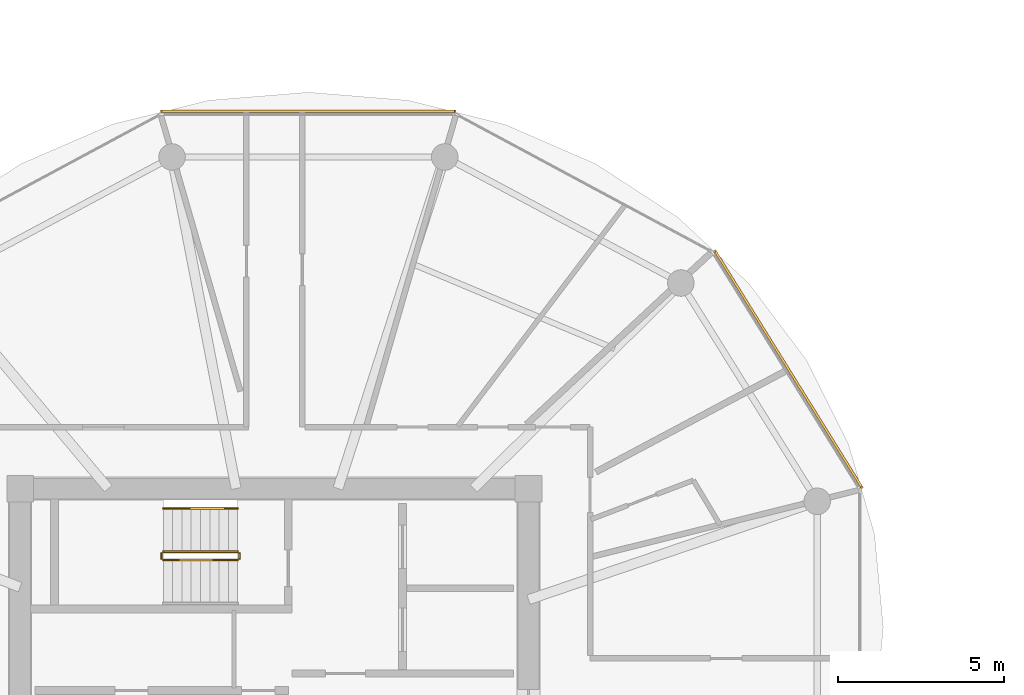
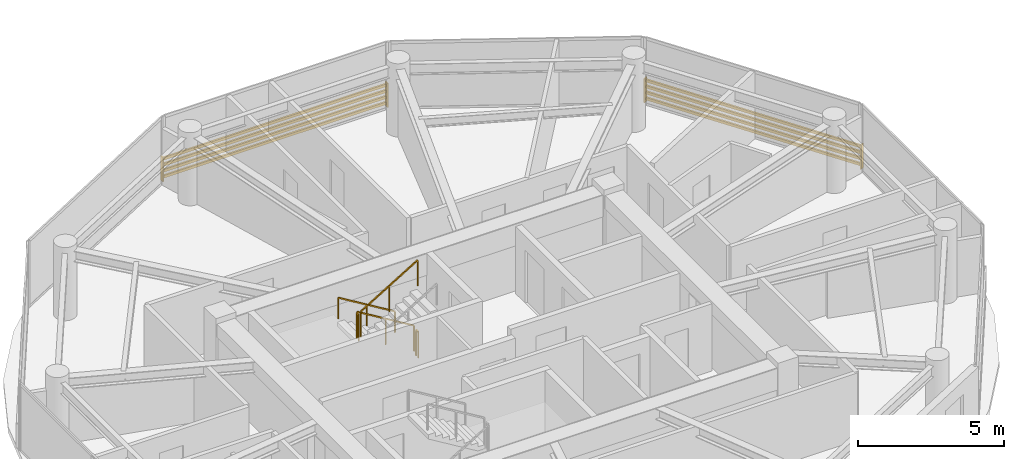
# One storey, part 20 of 23: 5 railings, 2 shading devices.
"""IFC4 building model written with IfcOpenShell, lengths in metres."""

from ifc_helpers import new_model, si_unit, direction, frame, origin, origin_2d, place, context, subcontext, project, spatial, rectangle, extrude, source, transform, mapped, material, type_object, type_shapes, element, save


model = new_model("IFC4")

# Units and contexts
model_context = context("Model", 3, precision=1e-05, world=origin(), true_north=direction((0.0, 1.0)))
body_context = subcontext(model_context, "Body", "Model", "MODEL_VIEW")
ifc_project = project(units=[si_unit("LENGTHUNIT", "METRE"), si_unit("AREAUNIT", "SQUARE_METRE"), si_unit("VOLUMEUNIT", "CUBIC_METRE"), si_unit("PLANEANGLEUNIT", "RADIAN"), si_unit("MASSUNIT", "GRAM", prefix="KILO")], contexts=[model_context])

# Site, building, storey
site_placement = place(None, origin())
site = spatial("IfcSite", under=ifc_project, at=site_placement, CompositionType="ELEMENT")
building_placement = place(site_placement, origin())
building = spatial("IfcBuilding", under=site, at=building_placement, Name="Norrkilde Senior Care Towers", CompositionType="ELEMENT")
storey_placement = place(building_placement, frame((0.0, 0.0, 173.949951171875)))
storey = spatial("IfcBuildingStorey", under=building, at=storey_placement, Name="L54", CompositionType="ELEMENT", Elevation=173.949951171875)

# Railings
ifc_material_1 = material(Name="Stainless Steel", Category="steel")
railing_type_1 = type_object("IfcRailingType", Name="Stair and Terrace Guardrail 1100", PredefinedType="GUARDRAIL", material=ifc_material_1)
railing_1_placement = place(storey_placement, frame((-29.10009765625, 4.050048828125, 0.16943359375)))
element("IfcRailing", 1, at=railing_1_placement, inside=storey, type_object=railing_type_1, Name="L54 ST-W1 stair guard 1", PredefinedType="GUARDRAIL", context=body_context, shape_type="SweptSolid", body=[
    extrude(rectangle(XDim=0.048095703125, YDim=0.048095703125, at=origin_2d()), frame((0.0, 0.0, 1.076171875), z_axis=(-0.855512035549, 0.0, 0.517782924622), x_axis=(0.0, -1.0, 0.0)), (0.0, 0.0, 1.0), 2.618408203125),
    extrude(rectangle(XDim=0.0419921875, YDim=0.0419921875, at=origin_2d()), origin(), (0.0, 0.0, 1.0), 1.050048828125),
    extrude(rectangle(XDim=0.0419921875, YDim=0.0419921875, at=origin_2d()), frame((-1.1201171875, 0.0, 0.677734375)), (0.0, 0.0, 1.0), 1.050048828125),
    extrude(rectangle(XDim=0.0419921875, YDim=0.0419921875, at=origin_2d()), frame((-2.239990234375, 0.0, 1.355712890625)), (0.0, 0.0, 1.0), 1.050048828125),
])
railing_2_placement = place(storey_placement, frame((-31.389892578125, 4.0, 1.525146484375)))
element("IfcRailing", 2, at=railing_2_placement, inside=storey, type_object=railing_type_1, Name="L54 ST-W1 stair guard 2", PredefinedType="GUARDRAIL", context=body_context, shape_type="SweptSolid", body=[
    extrude(rectangle(XDim=0.048095703125, YDim=0.048095703125, at=origin_2d()), frame((0.0, 0.0, 1.076171875), z_axis=(0.0, -1.0, 0.0), x_axis=(1.0, 0.0, 0.0)), (0.0, 0.0, 1.0), 0.14990234375),
    extrude(rectangle(XDim=0.0419921875, YDim=0.0419921875, at=origin_2d()), origin(), (0.0, 0.0, 1.0), 1.050048828125),
    extrude(rectangle(XDim=0.0419921875, YDim=0.0419921875, at=origin_2d()), frame((0.0, -0.14990234375, 0.0)), (0.0, 0.0, 1.0), 1.050048828125),
])
railing_3_placement = place(storey_placement, frame((-31.340087890625, 3.800048828125, 1.694580078125)))
element("IfcRailing", 3, at=railing_3_placement, inside=storey, type_object=railing_type_1, Name="L54 ST-W1 stair guard 3", PredefinedType="GUARDRAIL", context=body_context, shape_type="SweptSolid", body=[
    extrude(rectangle(XDim=0.048095703125, YDim=0.048095703125, at=origin_2d()), frame((0.0, 0.0, 1.076171875), z_axis=(0.855553338991, 0.0, 0.51771467445), x_axis=(0.0, 1.0, 0.0)), (0.0, 0.0, 1.0), 2.6181640625),
    extrude(rectangle(XDim=0.0419921875, YDim=0.0419921875, at=origin_2d()), origin(), (0.0, 0.0, 1.0), 1.050048828125),
    extrude(rectangle(XDim=0.0419921875, YDim=0.0419921875, at=origin_2d()), frame((1.1201171875, 0.0, 0.677734375)), (0.0, 0.0, 1.0), 1.050048828125),
    extrude(rectangle(XDim=0.0419921875, YDim=0.0419921875, at=origin_2d()), frame((2.239990234375, 0.0, 1.35546875)), (0.0, 0.0, 1.0), 1.050048828125),
])
railing_4_placement = place(storey_placement, frame((-29.050048828125, 4.0, 0.0)))
element("IfcRailing", 4, at=railing_4_placement, inside=storey, type_object=railing_type_1, Name="L54 ST-W1 stair guard 4", PredefinedType="GUARDRAIL", context=body_context, shape_type="SweptSolid", body=[
    extrude(rectangle(XDim=0.048095703125, YDim=0.048095703125, at=origin_2d()), frame((0.0, 0.0, 1.076171875), z_axis=(0.0, -1.0, 0.0), x_axis=(1.0, 0.0, 0.0)), (0.0, 0.0, 1.0), 0.14990234375),
    extrude(rectangle(XDim=0.0419921875, YDim=0.0419921875, at=origin_2d()), origin(), (0.0, 0.0, 1.0), 1.050048828125),
    extrude(rectangle(XDim=0.0419921875, YDim=0.0419921875, at=origin_2d()), frame((0.0, -0.14990234375, 0.0)), (0.0, 0.0, 1.0), 1.050048828125),
])
ifc_material_2 = material(Name="Nordic Ash Timber", Category="wood")
railing_type_2 = type_object("IfcRailingType", Name="Wall and Stair Handrail 900", PredefinedType="HANDRAIL", material=ifc_material_2)
railing_5_placement = place(storey_placement, frame((-29.10009765625, 5.35009765625, 0.16943359375)))
element("IfcRailing", 5, at=railing_5_placement, inside=storey, type_object=railing_type_2, Name="L54 ST-W1 stair handrail 1", PredefinedType="HANDRAIL", context=body_context, shape_type="SweptSolid", body=[
    extrude(rectangle(XDim=0.048095703125, YDim=0.048095703125, at=origin_2d()), frame((0.0, 0.0, 0.8759765625), z_axis=(-0.855512035549, 0.0, 0.517782924622), x_axis=(0.0, -1.0, 0.0)), (0.0, 0.0, 1.0), 2.618408203125),
    extrude(rectangle(XDim=0.0419921875, YDim=0.0419921875, at=origin_2d()), origin(), (0.0, 0.0, 1.0), 0.849853515625),
    extrude(rectangle(XDim=0.0419921875, YDim=0.0419921875, at=origin_2d()), frame((-1.1201171875, 0.0, 0.677734375)), (0.0, 0.0, 1.0), 0.849853515625),
    extrude(rectangle(XDim=0.0419921875, YDim=0.0419921875, at=origin_2d()), frame((-2.239990234375, 0.0, 1.355712890625)), (0.0, 0.0, 1.0), 0.849853515625),
])

# Shading devices
ifc_material_3 = material(Name="Architectural Terracotta", Category="masonry")
shading_device_type = type_object("IfcShadingDeviceType", Name="Horizontal Terracotta Baguette Rack", PredefinedType="USERDEFINED", material=ifc_material_3)
shared_shape_1 = source(origin(), body_context, "Body", "SweptSolid", [
    extrude(rectangle(XDim=0.070068359375, YDim=0.110107421875, at=origin_2d()), frame((0.0, 0.090087890625, 0.125), z_axis=(1.0, 0.0, 0.0), x_axis=(0.0, 1.0, 0.0)), (0.0, 0.0, 1.0), 8.89306640625),
    extrude(rectangle(XDim=0.070068359375, YDim=0.110107421875, at=origin_2d()), frame((0.0, 0.090087890625, 0.375), z_axis=(1.0, 0.0, 0.0), x_axis=(0.0, 1.0, 0.0)), (0.0, 0.0, 1.0), 8.89306640625),
    extrude(rectangle(XDim=0.070068359375, YDim=0.110107421875, at=origin_2d()), frame((0.0, 0.090087890625, 0.625), z_axis=(1.0, 0.0, 0.0), x_axis=(0.0, 1.0, 0.0)), (0.0, 0.0, 1.0), 8.89306640625),
    extrude(rectangle(XDim=0.070068359375, YDim=0.110107421875, at=origin_2d()), frame((0.0, 0.090087890625, 0.875), z_axis=(1.0, 0.0, 0.0), x_axis=(0.0, 1.0, 0.0)), (0.0, 0.0, 1.0), 8.89306640625),
    extrude(rectangle(XDim=0.050048828125, YDim=0.1552734375, at=origin_2d()), frame((0.02490234375, 0.047607421875, 0.0)), (0.0, 0.0, 1.0), 1.0),
    extrude(rectangle(XDim=0.050048828125, YDim=0.1552734375, at=origin_2d()), frame((8.8681640625, 0.047607421875, 0.0)), (0.0, 0.0, 1.0), 1.0),
])
shading_device_1_placement = place(storey_placement, frame((-31.421630859375, 17.2109375, 0.080078125), z_axis=(0.0, 0.0, 1.0), x_axis=(1.0, 0.0, 0.0)))
element("IfcShadingDevice", 6, at=shading_device_1_placement, inside=storey, type_object=shading_device_type, Name="L54 Drum W Terracotta Baguette Screen 02", ObjectType="BAGUETTE", PredefinedType="USERDEFINED", context=body_context, shape_type="MappedRepresentation", body=[
    mapped(shared_shape_1, transform((0.0, 0.0, 0.0), x_axis=(1.0, 0.0, 0.0), y_axis=(0.0, 1.0, 0.0), z_axis=(0.0, 0.0, 1.0), scale=1.0)),
])
shared_shape_2 = source(origin(), body_context, "Body", "SweptSolid", [
    extrude(rectangle(XDim=0.070068359375, YDim=0.110107421875, at=origin_2d()), frame((0.0, 0.090087890625, 0.125), z_axis=(1.0, 0.0, 0.0), x_axis=(0.0, 1.0, 0.0)), (0.0, 0.0, 1.0), 8.431396484375),
    extrude(rectangle(XDim=0.070068359375, YDim=0.110107421875, at=origin_2d()), frame((0.0, 0.090087890625, 0.375), z_axis=(1.0, 0.0, 0.0), x_axis=(0.0, 1.0, 0.0)), (0.0, 0.0, 1.0), 8.431396484375),
    extrude(rectangle(XDim=0.070068359375, YDim=0.110107421875, at=origin_2d()), frame((0.0, 0.090087890625, 0.625), z_axis=(1.0, 0.0, 0.0), x_axis=(0.0, 1.0, 0.0)), (0.0, 0.0, 1.0), 8.431396484375),
    extrude(rectangle(XDim=0.070068359375, YDim=0.110107421875, at=origin_2d()), frame((0.0, 0.090087890625, 0.875), z_axis=(1.0, 0.0, 0.0), x_axis=(0.0, 1.0, 0.0)), (0.0, 0.0, 1.0), 8.431396484375),
    extrude(rectangle(XDim=0.050048828125, YDim=0.1552734375, at=origin_2d()), frame((0.02490234375, 0.047607421875, 0.0)), (0.0, 0.0, 1.0), 1.0),
    extrude(rectangle(XDim=0.050048828125, YDim=0.1552734375, at=origin_2d()), frame((8.40625, 0.047607421875, 0.0)), (0.0, 0.0, 1.0), 1.0),
])
type_shapes(shading_device_type, [shared_shape_1, shared_shape_2])
shading_device_2_placement = place(storey_placement, frame((-14.826904296875, 13.074951171875, 0.080078125), z_axis=(0.0, 0.0, 1.0), x_axis=(0.527378022296, -0.849630809324, 0.0)))
element("IfcShadingDevice", 7, at=shading_device_2_placement, inside=storey, type_object=shading_device_type, Name="L54 Drum W Terracotta Baguette Screen 00", ObjectType="BAGUETTE", PredefinedType="USERDEFINED", context=body_context, shape_type="MappedRepresentation", body=[
    mapped(shared_shape_2, transform((0.0, 0.0, 0.0), x_axis=(1.0, 0.0, 0.0), y_axis=(0.0, 1.0, 0.0), z_axis=(0.0, 0.0, 1.0), scale=1.0)),
])

save(model, "model.ifc")
